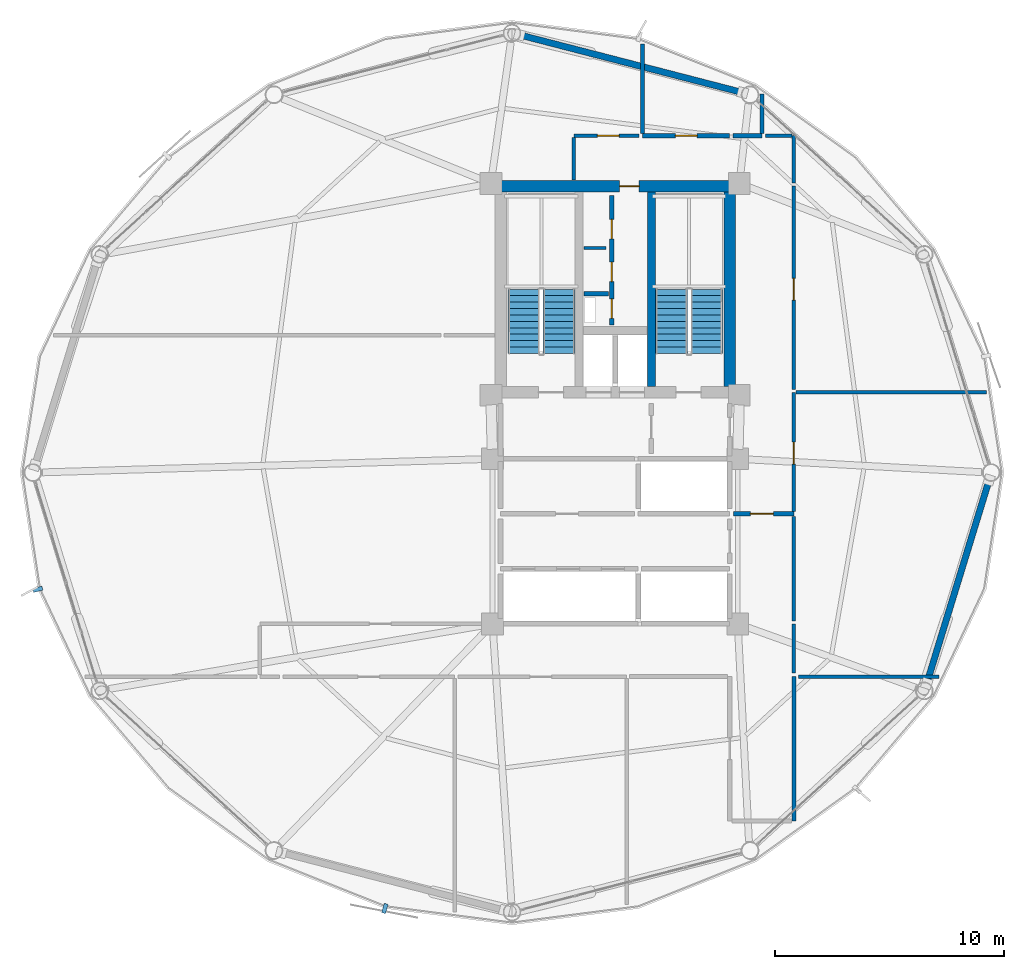
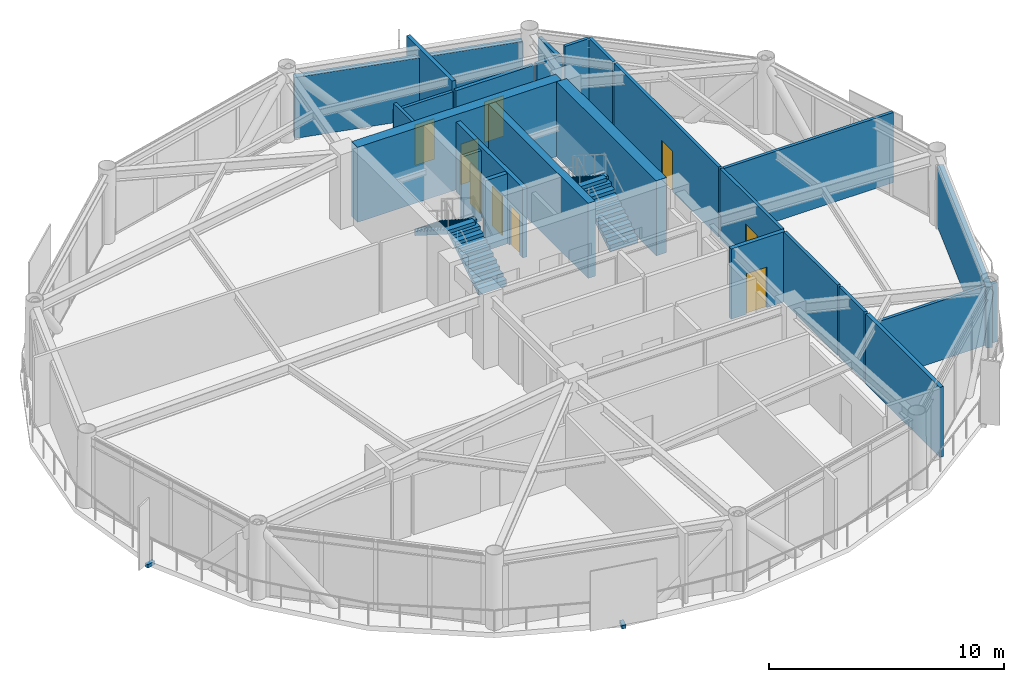
# One storey, part 23 of 27: 24 walls, 9 doors, 4 stair flights, 2 discrete accessories, 9 openings, 2 elements without a shape of their own.
"""IFC4 building model written with IfcOpenShell, lengths in metres."""

from ifc_helpers import new_model, si_unit, direction, frame, frame_2d, origin, origin_2d, place, context, subcontext, project, spatial, polyline, rectangle, outline, extrude, source, transform, mapped, material, layer, layer_set, type_object, type_shapes, element, fill, aggregate, save


model = new_model("IFC4")

# Units and contexts
model_context = context("Model", 3, precision=1e-05, world=origin(), true_north=direction((0.0, 1.0)))
body_context = subcontext(model_context, "Body", "Model", "MODEL_VIEW")
ifc_project = project(units=[si_unit("LENGTHUNIT", "METRE"), si_unit("AREAUNIT", "SQUARE_METRE"), si_unit("VOLUMEUNIT", "CUBIC_METRE"), si_unit("PLANEANGLEUNIT", "RADIAN"), si_unit("MASSUNIT", "GRAM", prefix="KILO")], contexts=[model_context])

# Site, building, storey
site_placement = place(None, origin())
site = spatial("IfcSite", under=ifc_project, at=site_placement, CompositionType="ELEMENT")
building_placement = place(site_placement, origin())
building = spatial("IfcBuilding", under=site, at=building_placement, Name="Varnakorn Sky Granary", CompositionType="ELEMENT")
storey_placement = place(building_placement, frame((0.0, 0.0, 142.199951171875)))
storey = spatial("IfcBuildingStorey", under=building, at=storey_placement, Name="L35", CompositionType="ELEMENT", Elevation=142.199951171875)

# Wall
ifc_material_1 = material(Name="Concrete C50/60", Category="concrete")
ifc_layer_1 = layer(ifc_material_1, 0.35009765625, Name="Concrete C50/60")
ifc_layer_set_1 = layer_set([ifc_layer_1], Name="Concrete C50/60")
wall_type_1 = type_object("IfcWallType", Name="WT-CW-INT-350", PredefinedType="SHEAR", material=ifc_layer_set_1)
wall_1_placement = place(storey_placement, frame((4.580078125, 3.760009765625, 0.0), z_axis=(0.0, 0.0, 1.0), x_axis=(0.0, 1.0, 0.0)))
element("IfcWall", 1, at=wall_1_placement, inside=storey, type_object=wall_type_1, Name="Stair ST-2 Core Wall L35", PredefinedType="SHEAR", context=body_context, shape_type="SweptSolid", body=[
    extrude(rectangle(XDim=8.47998046875, YDim=0.35009765625, at=frame_2d((4.239990234375, 0.0))), origin(), (0.0, 0.0, 1.0), 3.89208984375),
])

# Wall, opening, door
ifc_material_2 = material(Name="Concrete C60/75", Category="concrete")
ifc_layer_2 = layer(ifc_material_2, 0.5, Name="Concrete C60/75")
ifc_layer_set_2 = layer_set([ifc_layer_2], Name="Concrete C60/75")
wall_type_2 = type_object("IfcWallType", Name="WT-CW-SHEAR-500", PredefinedType="SHEAR", material=ifc_layer_set_2)
wall_2_placement = place(storey_placement, frame((-2.0, 12.5, 0.0), z_axis=(0.0, 0.0, 1.0), x_axis=(1.0, 0.0, 0.0)))
wall_2 = element("IfcWall", 2, at=wall_2_placement, inside=storey, type_object=wall_type_2, Name="Core North Shear Wall L35", PredefinedType="SHEAR", context=body_context, shape_type="SweptSolid", body=[
    extrude(rectangle(XDim=10.0, YDim=0.5, at=frame_2d((5.0, 0.0))), origin(), (0.0, 0.0, 1.0), 3.89208984375),
])
opening_1_placement = place(wall_2_placement, frame((5.199951171875, 0.0, 0.0)))
opening_1 = element("IfcOpeningElement", 3, at=opening_1_placement, cuts=wall_2, Name="Opening FD-60N", PredefinedType="OPENING", context=body_context, shape_type="SweptSolid", body=[
    extrude(rectangle(XDim=0.85009765625, YDim=2.10009765625, at=frame_2d((0.425048828125, 1.050048828125))), frame((0.0, 0.260009765625, 0.0), z_axis=(0.0, -1.0, 0.0), x_axis=(1.0, 0.0, 0.0)), (0.0, 0.0, 1.0), 0.52001953125),
])
ifc_material_3 = material(Name="Acoustic Timber Fire Leaf", Category="wood")
door_type_1 = type_object("IfcDoorType", Name="DR-FD60-850", OperationType="NOTDEFINED", PredefinedType="DOOR", material=ifc_material_3)
door_1_placement = place(opening_1_placement, origin())
door_1 = element("IfcDoor", 4, at=door_1_placement, inside=storey, type_object=door_type_1, Name="Core North Service Door L35", OperationType="SINGLE_SWING_LEFT", OverallHeight=2.10009765625, OverallWidth=0.85009765625, PredefinedType="DOOR", context=body_context, shape_type="SweptSolid", body=[
    extrude(rectangle(XDim=0.85009765625, YDim=2.10009765625, at=frame_2d((0.425048828125, 1.050048828125))), frame((0.0, 0.02490234375, 0.0), z_axis=(0.0, -1.0, 0.0), x_axis=(1.0, 0.0, 0.0)), (0.0, 0.0, 1.0), 0.050048828125),
])
fill(opening_1, door_1)

# Walls
wall_3_placement = place(storey_placement, frame((8.0, 3.760009765625, 0.0), z_axis=(0.0, 0.0, 1.0), x_axis=(0.0, 1.0, 0.0)))
element("IfcWall", 5, at=wall_3_placement, inside=storey, type_object=wall_type_2, Name="Core East Shear Wall L35", PredefinedType="SHEAR", context=body_context, shape_type="SweptSolid", body=[
    extrude(rectangle(XDim=8.47998046875, YDim=0.5, at=frame_2d((4.239990234375, 0.0))), origin(), (0.0, 0.0, 1.0), 3.89208984375),
])
ifc_material_4 = material(Name="Precast concrete C40/50", Category="concrete")
ifc_layer_3 = layer(ifc_material_4, 0.280029296875, Name="Precast concrete C40/50")
ifc_layer_set_3 = layer_set([ifc_layer_3], Name="Precast concrete C40/50")
wall_type_3 = type_object("IfcWallType", Name="WT-EW-CRN-280", PredefinedType="SOLIDWALL", material=ifc_layer_set_3)
wall_4_placement = place(storey_placement, frame((-1.1748046875, 19.098876953125, 0.0), z_axis=(0.0, 0.0, 1.0), x_axis=(0.968153909187, -0.250355763117, 0.0)))
element("IfcWall", 6, at=wall_4_placement, inside=storey, type_object=wall_type_3, Name="Agritech Insulated Precast Facade Wall L35-P03", PredefinedType="SOLIDWALL", context=body_context, shape_type="SweptSolid", body=[
    extrude(rectangle(XDim=10.060791015625, YDim=0.280029296875, at=frame_2d((5.0302734375, 0.0))), origin(), (0.0, 0.0, 1.0), 3.16015625),
])
wall_5_placement = place(storey_placement, frame((19.318603515625, -0.3212890625, 0.0), z_axis=(0.0, 0.0, 1.0), x_axis=(-0.293064398185, -0.956092703934, 0.0)))
element("IfcWall", 7, at=wall_5_placement, inside=storey, type_object=wall_type_3, Name="Agritech Insulated Precast Facade Wall L35-P12", PredefinedType="SOLIDWALL", context=body_context, shape_type="SweptSolid", body=[
    extrude(rectangle(XDim=9.28955078125, YDim=0.280029296875, at=frame_2d((4.644775390625, 0.0))), origin(), (0.0, 0.0, 1.0), 3.16015625),
])

# Wall, openings, doors
ifc_material_5 = material(Name="Autoclaved Aerated Concrete Blockwork", Category="masonry")
ifc_layer_4 = layer(ifc_material_5, 0.199951171875, Name="Autoclaved Aerated Concrete Blockwork")
ifc_layer_set_4 = layer_set([ifc_layer_4], Name="Autoclaved Aerated Concrete Blockwork")
wall_type_4 = type_object("IfcWallType", Name="WT-FIRE-200", PredefinedType="MOVABLE", material=ifc_layer_set_4)
wall_6_placement = place(storey_placement, frame((2.85009765625, 6.449951171875, 0.0), z_axis=(0.0, 0.0, 1.0), x_axis=(0.0, 1.0, 0.0)))
wall_6 = element("IfcWall", 8, at=wall_6_placement, inside=storey, type_object=wall_type_4, Name="Interior Partition Wall L35-014", PredefinedType="MOVABLE", context=body_context, shape_type="SweptSolid", body=[
    extrude(rectangle(XDim=5.650146484375, YDim=0.199951171875, at=frame_2d((2.8251953125, 0.0))), origin(), (0.0, 0.0, 1.0), 3.64013671875),
])
opening_2_placement = place(wall_6_placement, frame((1.8798828125, 0.0, 0.0)))
opening_2 = element("IfcOpeningElement", 9, at=opening_2_placement, cuts=wall_6, Name="Opening RD-85", PredefinedType="OPENING", context=body_context, shape_type="SweptSolid", body=[
    extrude(rectangle(XDim=0.85009765625, YDim=2.050048828125, at=frame_2d((0.425048828125, 1.02490234375))), frame((0.0, 0.10986328125, 0.0), z_axis=(0.0, -1.0, 0.0), x_axis=(1.0, 0.0, 0.0)), (0.0, 0.0, 1.0), 0.219970703125),
])
opening_3_placement = place(wall_6_placement, frame((3.75, 0.0, 0.0)))
opening_3 = element("IfcOpeningElement", 10, at=opening_3_placement, cuts=wall_6, Name="Opening FD-60N", PredefinedType="OPENING", context=body_context, shape_type="SweptSolid", body=[
    extrude(rectangle(XDim=0.85009765625, YDim=2.10009765625, at=frame_2d((0.425048828125, 1.050048828125))), frame((0.0, 0.10986328125, 0.0), z_axis=(0.0, -1.0, 0.0), x_axis=(1.0, 0.0, 0.0)), (0.0, 0.0, 1.0), 0.219970703125),
])
opening_4_placement = place(wall_6_placement, frame((0.280029296875, 0.0, 0.0)))
opening_4 = element("IfcOpeningElement", 11, at=opening_4_placement, cuts=wall_6, Name="Opening FD-60N", PredefinedType="OPENING", context=body_context, shape_type="SweptSolid", body=[
    extrude(rectangle(XDim=0.85009765625, YDim=2.10009765625, at=frame_2d((0.425048828125, 1.050048828125))), frame((0.0, 0.10986328125, 0.0), z_axis=(0.0, -1.0, 0.0), x_axis=(1.0, 0.0, 0.0)), (0.0, 0.0, 1.0), 0.219970703125),
])
door_2_placement = place(opening_3_placement, origin())
door_2 = element("IfcDoor", 12, at=door_2_placement, inside=storey, type_object=door_type_1, Name="Interior Door L35-014-2", OperationType="SINGLE_SWING_RIGHT", OverallHeight=2.10009765625, OverallWidth=0.85009765625, PredefinedType="DOOR", context=body_context, shape_type="SweptSolid", body=[
    extrude(rectangle(XDim=0.85009765625, YDim=2.10009765625, at=frame_2d((0.425048828125, 1.050048828125))), frame((0.0, 0.02490234375, 0.0), z_axis=(0.0, -1.0, 0.0), x_axis=(1.0, 0.0, 0.0)), (0.0, 0.0, 1.0), 0.050048828125),
])
fill(opening_3, door_2)
door_3_placement = place(opening_4_placement, origin())
door_3 = element("IfcDoor", 13, at=door_3_placement, inside=storey, type_object=door_type_1, Name="Interior Door L35-014-3", OperationType="SINGLE_SWING_LEFT", OverallHeight=2.10009765625, OverallWidth=0.85009765625, PredefinedType="DOOR", context=body_context, shape_type="SweptSolid", body=[
    extrude(rectangle(XDim=0.85009765625, YDim=2.10009765625, at=frame_2d((0.425048828125, 1.050048828125))), frame((0.0, 0.02490234375, 0.0), z_axis=(0.0, -1.0, 0.0), x_axis=(1.0, 0.0, 0.0)), (0.0, 0.0, 1.0), 0.050048828125),
])
fill(opening_4, door_3)
ifc_material_6 = material(Name="Galvanised Painted Steel Leaf", Category="steel")
door_type_2 = type_object("IfcDoorType", Name="DR-RIS-850", OperationType="NOTDEFINED", PredefinedType="DOOR", material=ifc_material_6)
door_4_placement = place(opening_2_placement, origin())
door_4 = element("IfcDoor", 14, at=door_4_placement, inside=storey, type_object=door_type_2, Name="MEP Riser Shaft Access Door L35-014-1", OperationType="SINGLE_SWING_LEFT", OverallHeight=2.050048828125, OverallWidth=0.85009765625, PredefinedType="DOOR", context=body_context, shape_type="SweptSolid", body=[
    extrude(rectangle(XDim=0.85009765625, YDim=2.050048828125, at=frame_2d((0.425048828125, 1.02490234375))), frame((0.0, 0.02490234375, 0.0), z_axis=(0.0, -1.0, 0.0), x_axis=(1.0, 0.0, 0.0)), (0.0, 0.0, 1.0), 0.050048828125),
])
fill(opening_2, door_4)

# Wall, opening, door
wall_7_placement = place(storey_placement, frame((8.159912109375, -1.800048828125, 0.0), z_axis=(0.0, 0.0, 1.0), x_axis=(1.0, 0.0, 0.0)))
wall_7 = element("IfcWall", 15, at=wall_7_placement, inside=storey, type_object=wall_type_4, Name="Interior Partition Wall L35-019", PredefinedType="MOVABLE", context=body_context, shape_type="SweptSolid", body=[
    extrude(rectangle(XDim=2.64013671875, YDim=0.199951171875, at=frame_2d((1.320068359375, 0.0))), origin(), (0.0, 0.0, 1.0), 3.64013671875),
])
opening_5_placement = place(wall_7_placement, frame((0.739990234375, 0.0, 0.0)))
opening_5 = element("IfcOpeningElement", 16, at=opening_5_placement, cuts=wall_7, Name="Opening FD-60", PredefinedType="OPENING", context=body_context, shape_type="SweptSolid", body=[
    extrude(rectangle(XDim=1.0, YDim=2.10009765625, at=frame_2d((0.5, 1.050048828125))), frame((0.0, 0.10986328125, 0.0), z_axis=(0.0, -1.0, 0.0), x_axis=(1.0, 0.0, 0.0)), (0.0, 0.0, 1.0), 0.219970703125),
])
door_type_3 = type_object("IfcDoorType", Name="DR-FD60-1000", OperationType="NOTDEFINED", PredefinedType="DOOR", material=ifc_material_3)
door_5_placement = place(opening_5_placement, origin())
door_5 = element("IfcDoor", 17, at=door_5_placement, inside=storey, type_object=door_type_3, Name="Interior Door L35-019-1", OperationType="SINGLE_SWING_RIGHT", OverallHeight=2.10009765625, OverallWidth=1.0, PredefinedType="DOOR", context=body_context, shape_type="SweptSolid", body=[
    extrude(rectangle(XDim=1.0, YDim=2.10009765625, at=frame_2d((0.5, 1.050048828125))), frame((0.0, 0.02490234375, 0.0), z_axis=(0.0, -1.0, 0.0), x_axis=(1.0, 0.0, 0.0)), (0.0, 0.0, 1.0), 0.050048828125),
])
fill(opening_5, door_5)

ifc_material_7 = material(Name="Gypsum Plasterboard on Steel Stud", Category="steel")
ifc_layer_5 = layer(ifc_material_7, 0.14990234375, Name="Gypsum Plasterboard on Steel Stud")
ifc_layer_set_5 = layer_set([ifc_layer_5], Name="Gypsum Plasterboard on Steel Stud")
wall_type_5 = type_object("IfcWallType", Name="WT-PART-150", PredefinedType="PARTITIONING", material=ifc_layer_set_5)
wall_8_placement = place(storey_placement, frame((4.050048828125, 14.699951171875, 0.0), z_axis=(0.0, 0.0, 1.0), x_axis=(-1.0, 0.0, 0.0)))
wall_8 = element("IfcWall", 18, at=wall_8_placement, inside=storey, type_object=wall_type_5, Name="Interior Partition Wall L35-025", PredefinedType="PARTITIONING", context=body_context, shape_type="SweptSolid", body=[
    extrude(rectangle(XDim=2.85009765625, YDim=0.14990234375, at=frame_2d((1.425048828125, 0.0))), origin(), (0.0, 0.0, 1.0), 3.22216796875),
])
opening_6_placement = place(wall_8_placement, frame((0.875, 0.0, 0.0)))
opening_6 = element("IfcOpeningElement", 19, at=opening_6_placement, cuts=wall_8, Name="Opening ID-95", PredefinedType="OPENING", context=body_context, shape_type="SweptSolid", body=[
    extrude(rectangle(XDim=0.949951171875, YDim=2.10009765625, at=frame_2d((0.47509765625, 1.050048828125))), frame((0.0, 0.0849609375, 0.0), z_axis=(0.0, -1.0, 0.0), x_axis=(1.0, 0.0, 0.0)), (0.0, 0.0, 1.0), 0.169921875),
])
ifc_material_8 = material(Name="Solid-Core Teak Veneer Leaf", Category="timber")
door_type_4 = type_object("IfcDoorType", Name="DR-INT-950", OperationType="NOTDEFINED", PredefinedType="DOOR", material=ifc_material_8)
door_6_placement = place(opening_6_placement, origin())
door_6 = element("IfcDoor", 20, at=door_6_placement, inside=storey, type_object=door_type_4, Name="Interior Door L35-025-1", OperationType="SINGLE_SWING_RIGHT", OverallHeight=2.10009765625, OverallWidth=0.949951171875, PredefinedType="DOOR", context=body_context, shape_type="SweptSolid", body=[
    extrude(rectangle(XDim=0.949951171875, YDim=2.10009765625, at=frame_2d((0.47509765625, 1.050048828125))), frame((0.0, 0.02490234375, 0.0), z_axis=(0.0, -1.0, 0.0), x_axis=(1.0, 0.0, 0.0)), (0.0, 0.0, 1.0), 0.050048828125),
])
fill(opening_6, door_6)

wall_9_placement = place(storey_placement, frame((10.800048828125, -1.68994140625, 0.0), z_axis=(0.0, 0.0, 1.0), x_axis=(0.0, 1.0, 0.0)))
wall_9 = element("IfcWall", 21, at=wall_9_placement, inside=storey, type_object=wall_type_5, Name="Interior Partition Wall L35-026", PredefinedType="PARTITIONING", context=body_context, shape_type="SweptSolid", body=[
    extrude(rectangle(XDim=5.18994140625, YDim=0.14990234375, at=frame_2d((2.594970703125, 0.0))), origin(), (0.0, 0.0, 1.0), 3.64013671875),
])
opening_7_placement = place(wall_9_placement, frame((2.06494140625, 0.0, 0.0)))
opening_7 = element("IfcOpeningElement", 22, at=opening_7_placement, cuts=wall_9, Name="Opening ID-95", PredefinedType="OPENING", context=body_context, shape_type="SweptSolid", body=[
    extrude(rectangle(XDim=0.949951171875, YDim=2.10009765625, at=frame_2d((0.47509765625, 1.050048828125))), frame((0.0, 0.0849609375, 0.0), z_axis=(0.0, -1.0, 0.0), x_axis=(1.0, 0.0, 0.0)), (0.0, 0.0, 1.0), 0.169921875),
])
door_7_placement = place(opening_7_placement, origin())
door_7 = element("IfcDoor", 23, at=door_7_placement, inside=storey, type_object=door_type_4, Name="Interior Door L35-026-1", OperationType="SINGLE_SWING_LEFT", OverallHeight=2.10009765625, OverallWidth=0.949951171875, PredefinedType="DOOR", context=body_context, shape_type="SweptSolid", body=[
    extrude(rectangle(XDim=0.949951171875, YDim=2.10009765625, at=frame_2d((0.47509765625, 1.050048828125))), frame((0.0, 0.02490234375, 0.0), z_axis=(0.0, -1.0, 0.0), x_axis=(1.0, 0.0, 0.0)), (0.0, 0.0, 1.0), 0.050048828125),
])
fill(opening_7, door_7)

wall_10_placement = place(storey_placement, frame((10.800048828125, 3.635009765625, 0.0), z_axis=(0.0, 0.0, 1.0), x_axis=(0.0, 1.0, 0.0)))
wall_10 = element("IfcWall", 24, at=wall_10_placement, inside=storey, type_object=wall_type_5, Name="Interior Partition Wall L35-027", PredefinedType="PARTITIONING", context=body_context, shape_type="SweptSolid", body=[
    extrude(rectangle(XDim=8.864990234375, YDim=0.14990234375, at=frame_2d((4.4326171875, 0.0))), origin(), (0.0, 0.0, 1.0), 3.64013671875),
])
opening_8_placement = place(wall_10_placement, frame((3.889892578125, 0.0, 0.0)))
opening_8 = element("IfcOpeningElement", 25, at=opening_8_placement, cuts=wall_10, Name="Opening ID-95", PredefinedType="OPENING", context=body_context, shape_type="SweptSolid", body=[
    extrude(rectangle(XDim=0.949951171875, YDim=2.10009765625, at=frame_2d((0.47509765625, 1.050048828125))), frame((0.0, 0.0849609375, 0.0), z_axis=(0.0, -1.0, 0.0), x_axis=(1.0, 0.0, 0.0)), (0.0, 0.0, 1.0), 0.169921875),
])
door_8_placement = place(opening_8_placement, origin())
door_8 = element("IfcDoor", 26, at=door_8_placement, inside=storey, type_object=door_type_4, Name="Interior Door L35-027-1", OperationType="SINGLE_SWING_RIGHT", OverallHeight=2.10009765625, OverallWidth=0.949951171875, PredefinedType="DOOR", context=body_context, shape_type="SweptSolid", body=[
    extrude(rectangle(XDim=0.949951171875, YDim=2.10009765625, at=frame_2d((0.47509765625, 1.050048828125))), frame((0.0, 0.02490234375, 0.0), z_axis=(0.0, -1.0, 0.0), x_axis=(1.0, 0.0, 0.0)), (0.0, 0.0, 1.0), 0.050048828125),
])
fill(opening_8, door_8)

# Walls
wall_11_placement = place(storey_placement, frame((1.64990234375, 9.800048828125, 0.0), z_axis=(0.0, 0.0, 1.0), x_axis=(1.0, 0.0, 0.0)))
element("IfcWall", 27, at=wall_11_placement, inside=storey, type_object=wall_type_5, Name="Interior Partition Wall L35-028", PredefinedType="PARTITIONING", context=body_context, shape_type="SweptSolid", body=[
    extrude(rectangle(XDim=0.960205078125, YDim=0.14990234375, at=frame_2d((0.47998046875, 0.0))), origin(), (0.0, 0.0, 1.0), 3.64013671875),
])
wall_12_placement = place(storey_placement, frame((11.0, -8.89990234375, 0.0), z_axis=(0.0, 0.0, 1.0), x_axis=(1.0, 0.0, 0.0)))
element("IfcWall", 28, at=wall_12_placement, inside=storey, type_object=wall_type_5, Name="Interior Partition Wall L35-041", PredefinedType="PARTITIONING", context=body_context, shape_type="SweptSolid", body=[
    extrude(rectangle(XDim=6.134033203125, YDim=0.14990234375, at=frame_2d((3.06689453125, 0.0))), origin(), (0.0, 0.0, 1.0), 3.072021484375),
])
wall_13_placement = place(storey_placement, frame((1.199951171875, 14.614990234375, 0.0), z_axis=(0.0, 0.0, 1.0), x_axis=(0.0, -1.0, 0.0)))
element("IfcWall", 29, at=wall_13_placement, inside=storey, type_object=wall_type_5, Name="Interior Partition Wall L35-045", PredefinedType="PARTITIONING", context=body_context, shape_type="SweptSolid", body=[
    extrude(rectangle(XDim=1.85498046875, YDim=0.14990234375, at=frame_2d((0.927490234375, 0.0))), origin(), (0.0, 0.0, 1.0), 3.64013671875),
])
wall_14_placement = place(storey_placement, frame((10.800048828125, -8.75, 0.0), z_axis=(0.0, 0.0, 1.0), x_axis=(0.0, 1.0, 0.0)))
element("IfcWall", 30, at=wall_14_placement, inside=storey, type_object=wall_type_5, Name="Interior Partition Wall L35-047", PredefinedType="PARTITIONING", context=body_context, shape_type="SweptSolid", body=[
    extrude(rectangle(XDim=2.14990234375, YDim=0.14990234375, at=frame_2d((1.074951171875, 0.0))), origin(), (0.0, 0.0, 1.0), 3.64013671875),
])
wall_15_placement = place(storey_placement, frame((10.800048828125, -6.465087890625, 0.0), z_axis=(0.0, 0.0, 1.0), x_axis=(0.0, 1.0, 0.0)))
element("IfcWall", 31, at=wall_15_placement, inside=storey, type_object=wall_type_5, Name="Interior Partition Wall L35-048", PredefinedType="PARTITIONING", context=body_context, shape_type="SweptSolid", body=[
    extrude(rectangle(XDim=4.55517578125, YDim=0.14990234375, at=frame_2d((2.277587890625, 0.0))), origin(), (0.0, 0.0, 1.0), 3.64013671875),
])
wall_16_placement = place(storey_placement, frame((10.885009765625, 3.5, 0.0), z_axis=(0.0, 0.0, 1.0), x_axis=(1.0, 0.0, 0.0)))
element("IfcWall", 32, at=wall_16_placement, inside=storey, type_object=wall_type_5, Name="Interior Partition Wall L35-049", PredefinedType="PARTITIONING", context=body_context, shape_type="SweptSolid", body=[
    extrude(rectangle(XDim=8.30908203125, YDim=0.14990234375, at=frame_2d((4.154541015625, 0.0))), origin(), (0.0, 0.0, 1.0), 3.64013671875),
])
wall_17_placement = place(storey_placement, frame((10.800048828125, 12.635009765625, 0.0), z_axis=(0.0, 0.0, 1.0), x_axis=(0.0, 1.0, 0.0)))
element("IfcWall", 33, at=wall_17_placement, inside=storey, type_object=wall_type_5, Name="Interior Partition Wall L35-050", PredefinedType="PARTITIONING", context=body_context, shape_type="SweptSolid", body=[
    extrude(rectangle(XDim=2.06494140625, YDim=0.14990234375, at=frame_2d((1.032470703125, 0.0))), origin(), (0.0, 0.0, 1.0), 3.64013671875),
])
wall_18_placement = place(storey_placement, frame((10.715087890625, 14.699951171875, 0.0), z_axis=(0.0, 0.0, 1.0), x_axis=(-1.0, 0.0, 0.0)))
element("IfcWall", 34, at=wall_18_placement, inside=storey, type_object=wall_type_5, Name="Interior Partition Wall L35-051", PredefinedType="PARTITIONING", context=body_context, shape_type="SweptSolid", body=[
    extrude(rectangle(XDim=1.1650390625, YDim=0.14990234375, at=frame_2d((0.58251953125, 0.0))), origin(), (0.0, 0.0, 1.0), 3.64013671875),
])

# Wall, opening, door
ifc_material_9 = material(Name="Moisture-Resistant Gypsum on Stud", Category="gypsum")
ifc_layer_6 = layer(ifc_material_9, 0.179931640625, Name="Moisture-Resistant Gypsum on Stud")
ifc_layer_set_6 = layer_set([ifc_layer_6], Name="Moisture-Resistant Gypsum on Stud")
wall_type_6 = type_object("IfcWallType", Name="WT-PLUMB-180", PredefinedType="PLUMBINGWALL", material=ifc_layer_set_6)
wall_19_placement = place(storey_placement, frame((8.0, 14.699951171875, 0.0), z_axis=(0.0, 0.0, 1.0), x_axis=(-1.0, 0.0, 0.0)))
wall_19 = element("IfcWall", 35, at=wall_19_placement, inside=storey, type_object=wall_type_6, Name="Interior Partition Wall L35-020", PredefinedType="PLUMBINGWALL", context=body_context, shape_type="SweptSolid", body=[
    extrude(rectangle(XDim=3.800048828125, YDim=0.179931640625, at=frame_2d((1.89990234375, 0.0))), origin(), (0.0, 0.0, 1.0), 3.22216796875),
])
opening_9_placement = place(wall_19_placement, frame((1.425048828125, 0.0, 0.0)))
opening_9 = element("IfcOpeningElement", 36, at=opening_9_placement, cuts=wall_19, Name="Opening ID-95", PredefinedType="OPENING", context=body_context, shape_type="SweptSolid", body=[
    extrude(rectangle(XDim=0.949951171875, YDim=2.10009765625, at=frame_2d((0.47509765625, 1.050048828125))), frame((0.0, 0.10009765625, 0.0), z_axis=(0.0, -1.0, 0.0), x_axis=(1.0, 0.0, 0.0)), (0.0, 0.0, 1.0), 0.199951171875),
])
door_9_placement = place(opening_9_placement, origin())
door_9 = element("IfcDoor", 37, at=door_9_placement, inside=storey, type_object=door_type_4, Name="Interior Door L35-020-1", OperationType="SINGLE_SWING_LEFT", OverallHeight=2.10009765625, OverallWidth=0.949951171875, PredefinedType="DOOR", context=body_context, shape_type="SweptSolid", body=[
    extrude(rectangle(XDim=0.949951171875, YDim=2.10009765625, at=frame_2d((0.47509765625, 1.050048828125))), frame((0.0, 0.02490234375, 0.0), z_axis=(0.0, -1.0, 0.0), x_axis=(1.0, 0.0, 0.0)), (0.0, 0.0, 1.0), 0.050048828125),
])
fill(opening_9, door_9)

# Walls
wall_20_placement = place(storey_placement, frame((9.39990234375, 14.699951171875, 0.0), z_axis=(0.0, 0.0, 1.0), x_axis=(-1.0, 0.0, 0.0)))
element("IfcWall", 38, at=wall_20_placement, inside=storey, type_object=wall_type_6, Name="Interior Partition Wall L35-033", PredefinedType="PLUMBINGWALL", context=body_context, shape_type="SweptSolid", body=[
    extrude(rectangle(XDim=1.25, YDim=0.179931640625, at=frame_2d((0.625, 0.0))), origin(), (0.0, 0.0, 1.0), 3.22216796875),
])
wall_21_placement = place(storey_placement, frame((10.800048828125, -15.199951171875, 0.0), z_axis=(0.0, 0.0, 1.0), x_axis=(0.0, 1.0, 0.0)))
element("IfcWall", 39, at=wall_21_placement, inside=storey, type_object=wall_type_6, Name="Interior Partition Wall L35-038", PredefinedType="PLUMBINGWALL", context=body_context, shape_type="SweptSolid", body=[
    extrude(rectangle(XDim=6.300048828125, YDim=0.179931640625, at=frame_2d((3.14990234375, 0.0))), origin(), (0.0, 0.0, 1.0), 3.64013671875),
])
wall_22_placement = place(storey_placement, frame((4.199951171875, 18.697998046875, 0.0), z_axis=(0.0, 0.0, 1.0), x_axis=(0.0, -1.0, 0.0)))
element("IfcWall", 40, at=wall_22_placement, inside=storey, type_object=wall_type_6, Name="Interior Partition Wall L35-046", PredefinedType="PLUMBINGWALL", context=body_context, shape_type="SweptSolid", body=[
    extrude(rectangle(XDim=3.89794921875, YDim=0.179931640625, at=frame_2d((1.948974609375, 0.0))), origin(), (0.0, 0.0, 1.0), 3.64013671875),
])
wall_23_placement = place(storey_placement, frame((9.39990234375, 14.800048828125, 0.0), z_axis=(0.0, 0.0, 1.0), x_axis=(0.0, 1.0, 0.0)))
element("IfcWall", 41, at=wall_23_placement, inside=storey, type_object=wall_type_6, Name="Interior Partition Wall L35-052", PredefinedType="PLUMBINGWALL", context=body_context, shape_type="SweptSolid", body=[
    extrude(rectangle(XDim=1.7109375, YDim=0.179931640625, at=frame_2d((0.85546875, 0.0))), origin(), (0.0, 0.0, 1.0), 3.072021484375),
])
ifc_layer_7 = layer(ifc_material_5, 0.199951171875, Name="Autoclaved Aerated Concrete Blockwork")
ifc_layer_set_7 = layer_set([ifc_layer_7], Name="Autoclaved Aerated Concrete Blockwork")
wall_type_7 = type_object("IfcWallType", Name="WT-SHAFT-200", PredefinedType="SOLIDWALL", material=ifc_layer_set_7)
wall_24_placement = place(storey_placement, frame((1.64990234375, 7.800048828125, 0.0), z_axis=(0.0, 0.0, 1.0), x_axis=(1.0, 0.0, 0.0)))
element("IfcWall", 42, at=wall_24_placement, inside=storey, type_object=wall_type_7, Name="Interior Partition Wall L35-002", PredefinedType="SOLIDWALL", context=body_context, shape_type="SweptSolid", body=[
    extrude(rectangle(XDim=1.070068359375, YDim=0.199951171875, at=frame_2d((0.53515625, 0.0))), origin(), (0.0, 0.0, 1.0), 3.64013671875),
])

# Stair, stair flights
ifc_material_10 = material(Name="Concrete C40/50", Category="concrete")
stair_type = type_object("IfcStairType", Name="ST-MAIN-ASSEMBLY", PredefinedType="HALF_TURN_STAIR", material=ifc_material_10)
stair_1_placement = place(storey_placement, origin())
stair_1 = element("IfcStair", 43, at=stair_1_placement, inside=storey, type_object=stair_type, Name="L35 Protected Exit Stair ST-1", PredefinedType="HALF_TURN_STAIR")
stair_flight_type = type_object("IfcStairFlightType", Name="ST-MAIN-FLIGHT", PredefinedType="STRAIGHT", material=ifc_material_10)
stair_flight_1_placement = place(storey_placement, frame((0.550048828125, 5.199951171875, 0.0), z_axis=(0.0, 0.0, 1.0), x_axis=(0.0, 1.0, 0.0)))
stair_flight_1 = element("IfcStairFlight", 44, at=stair_flight_1_placement, type_object=stair_flight_type, Name="ST-1 flight 1", NumberOfRisers=11, NumberOfTreads=10, PredefinedType="STRAIGHT", RiserHeight=0.177272727, TreadLength=0.28, context=body_context, shape_type="SweptSolid", body=[
    extrude(outline(polyline([(0.0, -0.14990234375), (0.0, 0.0), (0.0, 0.17724609375), (0.280029296875, 0.17724609375), (0.280029296875, 0.3544921875), (0.56005859375, 0.3544921875), (0.56005859375, 0.53173828125), (0.840087890625, 0.53173828125), (0.840087890625, 0.708984375), (1.1201171875, 0.708984375), (1.1201171875, 0.886474609375), (1.39990234375, 0.886474609375), (1.39990234375, 1.063720703125), (1.679931640625, 1.063720703125), (1.679931640625, 1.240966796875), (1.9599609375, 1.240966796875), (1.9599609375, 1.418212890625), (2.239990234375, 1.418212890625), (2.239990234375, 1.595458984375), (2.52001953125, 1.595458984375), (2.52001953125, 1.772705078125), (2.800048828125, 1.772705078125), (2.800048828125, 1.949951171875), (2.800048828125, 1.59521484375), (0.050048828125, -0.14990234375), (0.0, -0.14990234375)])), frame((0.0, 0.68994140625, 0.0), z_axis=(0.0, -1.0, 0.0), x_axis=(1.0, 0.0, 0.0)), (0.0, 0.0, 1.0), 1.3798828125),
])
stair_flight_2_placement = place(storey_placement, frame((-0.97998046875, 8.0, 1.949951171875), z_axis=(0.0, 0.0, 1.0), x_axis=(0.0, -1.0, 0.0)))
stair_flight_2 = element("IfcStairFlight", 45, at=stair_flight_2_placement, type_object=stair_flight_type, Name="ST-1 flight 2", NumberOfRisers=11, NumberOfTreads=10, PredefinedType="STRAIGHT", RiserHeight=0.177272727, TreadLength=0.28, context=body_context, shape_type="SweptSolid", body=[
    extrude(outline(polyline([(0.0, -0.14990234375), (0.0, 0.0), (0.0, 0.17724609375), (0.280029296875, 0.17724609375), (0.280029296875, 0.3544921875), (0.56005859375, 0.3544921875), (0.56005859375, 0.53173828125), (0.840087890625, 0.53173828125), (0.840087890625, 0.708984375), (1.1201171875, 0.708984375), (1.1201171875, 0.886474609375), (1.39990234375, 0.886474609375), (1.39990234375, 1.063720703125), (1.679931640625, 1.063720703125), (1.679931640625, 1.240966796875), (1.9599609375, 1.240966796875), (1.9599609375, 1.418212890625), (2.239990234375, 1.418212890625), (2.239990234375, 1.595458984375), (2.52001953125, 1.595458984375), (2.52001953125, 1.772705078125), (2.800048828125, 1.772705078125), (2.800048828125, 1.949951171875), (2.800048828125, 1.59521484375), (0.050048828125, -0.14990234375), (0.0, -0.14990234375)])), frame((0.0, 0.68994140625, 0.0), z_axis=(0.0, -1.0, 0.0), x_axis=(1.0, 0.0, 0.0)), (0.0, 0.0, 1.0), 1.3798828125),
])
aggregate(stair_1, [stair_flight_1, stair_flight_2])

stair_2_placement = place(storey_placement, origin())
stair_2 = element("IfcStair", 46, at=stair_2_placement, inside=storey, type_object=stair_type, Name="L35 Protected Exit Stair ST-2", PredefinedType="HALF_TURN_STAIR")
stair_flight_3_placement = place(storey_placement, frame((6.989990234375, 5.199951171875, 0.0), z_axis=(0.0, 0.0, 1.0), x_axis=(0.0, 1.0, 0.0)))
stair_flight_3 = element("IfcStairFlight", 47, at=stair_flight_3_placement, type_object=stair_flight_type, Name="ST-2 flight 1", NumberOfRisers=11, NumberOfTreads=10, PredefinedType="STRAIGHT", RiserHeight=0.177272727, TreadLength=0.28, context=body_context, shape_type="SweptSolid", body=[
    extrude(outline(polyline([(0.0, -0.14990234375), (0.0, 0.0), (0.0, 0.17724609375), (0.280029296875, 0.17724609375), (0.280029296875, 0.3544921875), (0.56005859375, 0.3544921875), (0.56005859375, 0.53173828125), (0.840087890625, 0.53173828125), (0.840087890625, 0.708984375), (1.1201171875, 0.708984375), (1.1201171875, 0.886474609375), (1.39990234375, 0.886474609375), (1.39990234375, 1.063720703125), (1.679931640625, 1.063720703125), (1.679931640625, 1.240966796875), (1.9599609375, 1.240966796875), (1.9599609375, 1.418212890625), (2.239990234375, 1.418212890625), (2.239990234375, 1.595458984375), (2.52001953125, 1.595458984375), (2.52001953125, 1.772705078125), (2.800048828125, 1.772705078125), (2.800048828125, 1.949951171875), (2.800048828125, 1.59521484375), (0.050048828125, -0.14990234375), (0.0, -0.14990234375)])), frame((0.0, 0.68994140625, 0.0), z_axis=(0.0, -1.0, 0.0), x_axis=(1.0, 0.0, 0.0)), (0.0, 0.0, 1.0), 1.3798828125),
])
stair_flight_4_placement = place(storey_placement, frame((5.4599609375, 8.0, 1.949951171875), z_axis=(0.0, 0.0, 1.0), x_axis=(0.0, -1.0, 0.0)))
stair_flight_4 = element("IfcStairFlight", 48, at=stair_flight_4_placement, type_object=stair_flight_type, Name="ST-2 flight 2", NumberOfRisers=11, NumberOfTreads=10, PredefinedType="STRAIGHT", RiserHeight=0.177272727, TreadLength=0.28, context=body_context, shape_type="SweptSolid", body=[
    extrude(outline(polyline([(0.0, -0.14990234375), (0.0, 0.0), (0.0, 0.17724609375), (0.280029296875, 0.17724609375), (0.280029296875, 0.3544921875), (0.56005859375, 0.3544921875), (0.56005859375, 0.53173828125), (0.840087890625, 0.53173828125), (0.840087890625, 0.708984375), (1.1201171875, 0.708984375), (1.1201171875, 0.886474609375), (1.39990234375, 0.886474609375), (1.39990234375, 1.063720703125), (1.679931640625, 1.063720703125), (1.679931640625, 1.240966796875), (1.9599609375, 1.240966796875), (1.9599609375, 1.418212890625), (2.239990234375, 1.418212890625), (2.239990234375, 1.595458984375), (2.52001953125, 1.595458984375), (2.52001953125, 1.772705078125), (2.800048828125, 1.772705078125), (2.800048828125, 1.949951171875), (2.800048828125, 1.59521484375), (0.050048828125, -0.14990234375), (0.0, -0.14990234375)])), frame((0.0, 0.68994140625, 0.0), z_axis=(0.0, -1.0, 0.0), x_axis=(1.0, 0.0, 0.0)), (0.0, 0.0, 1.0), 1.3798828125),
])
aggregate(stair_2, [stair_flight_3, stair_flight_4])

# Discrete accessories
ifc_material_11 = material(Name="Steel S355JR", Category="steel")
discrete_accessory_type = type_object("IfcDiscreteAccessoryType", Name="AC-BRK-01", PredefinedType="BRACKET", material=ifc_material_11)
shared_shape = source(origin(), body_context, "Body", "SweptSolid", [
    extrude(rectangle(XDim=0.179931640625, YDim=0.419921875, at=origin_2d()), origin(), (0.0, 0.0, 1.0), 0.179931640625),
])
type_shapes(discrete_accessory_type, [shared_shape])
for number, where, z_axis, x_axis, name in (
    (49, (-22.192626953125, -5.09326171875, -0.19970703125), (0.0, 0.0, 1.0), (0.239005219331, -0.971018282594, 0.0), "Facade Solar-Screen Outrigger Bracket L35-07"),
    (50, (-7.047119140625, -19.016357421875, -0.19970703125), (0.0, 0.0, 1.0), (0.959992490857, -0.280025744349, 0.0), "Facade Solar-Screen Outrigger Bracket L35-09"),
):
    element("IfcDiscreteAccessory", number, at=place(storey_placement, frame(where, z_axis=z_axis, x_axis=x_axis)), inside=storey, type_object=discrete_accessory_type, Name=name, PredefinedType="BRACKET", context=body_context, shape_type="MappedRepresentation", body=[
        mapped(shared_shape, transform((0.0, 0.0, 0.0), x_axis=(1.0, 0.0, 0.0), y_axis=(0.0, 1.0, 0.0), z_axis=(0.0, 0.0, 1.0), scale=1.0)),
    ])

save(model, "model.ifc")
